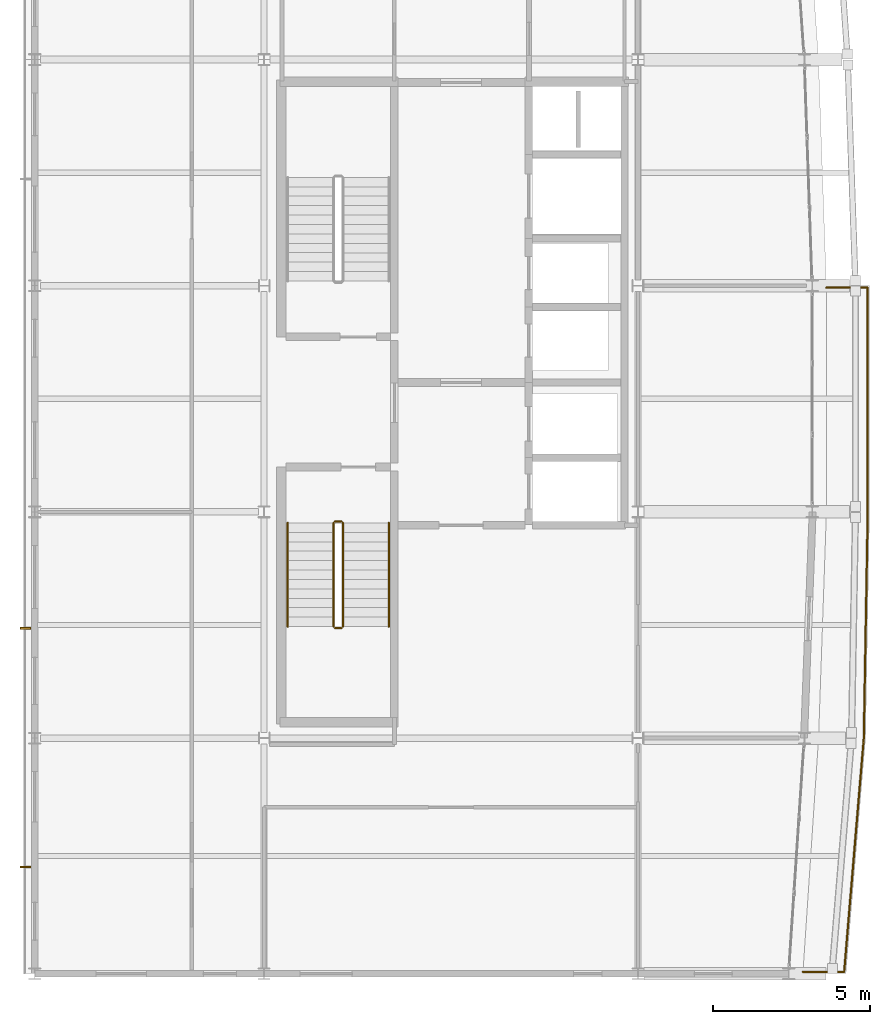
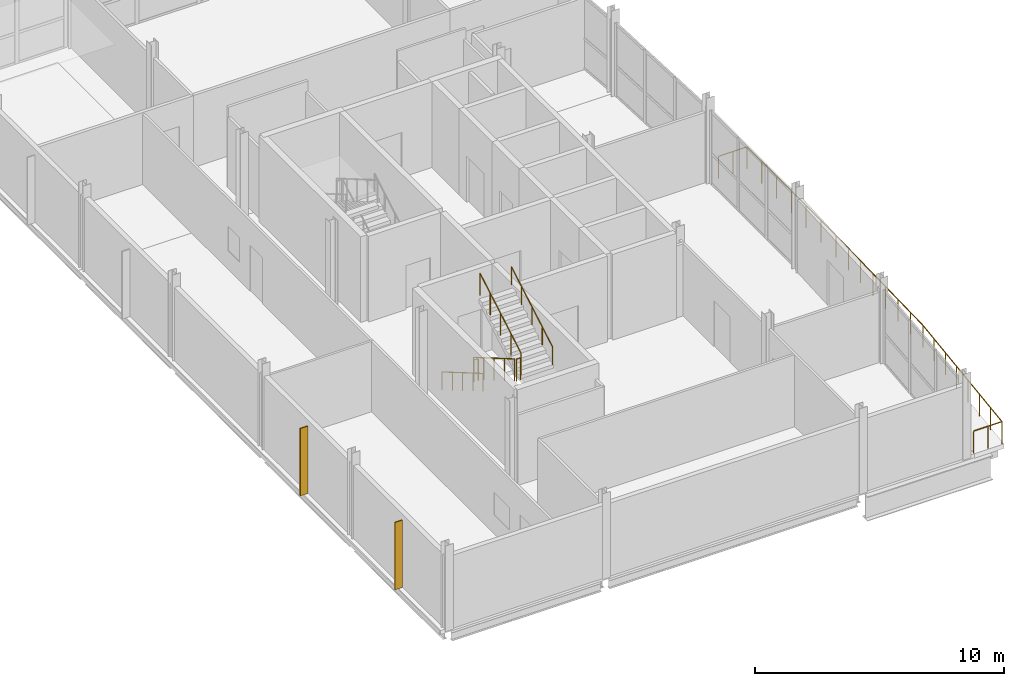
# One storey, part 15 of 17: 7 railings, 2 shading devices.
"""IFC4 building model written with IfcOpenShell, lengths in metres."""

from ifc_helpers import new_model, si_unit, direction, frame, origin, origin_2d, place, context, subcontext, project, spatial, rectangle, circle, extrude, material, type_object, element, save


model = new_model("IFC4")

# Units and contexts
model_context = context("Model", 3, precision=1e-05, world=origin(), true_north=direction((0.0, 1.0)))
body_context = subcontext(model_context, "Body", "Model", "MODEL_VIEW")
ifc_project = project(units=[si_unit("LENGTHUNIT", "METRE"), si_unit("AREAUNIT", "SQUARE_METRE"), si_unit("VOLUMEUNIT", "CUBIC_METRE"), si_unit("PLANEANGLEUNIT", "RADIAN"), si_unit("MASSUNIT", "GRAM", prefix="KILO")], contexts=[model_context])

# Site, building, storey
site_placement = place(None, origin())
site = spatial("IfcSite", under=ifc_project, at=site_placement, CompositionType="ELEMENT")
building_placement = place(site_placement, origin())
building = spatial("IfcBuilding", under=site, at=building_placement, Name="Quillay Park Conservatory", CompositionType="ELEMENT")
storey_placement = place(building_placement, frame((0.0, 0.0, 47.699951171875)))
storey = spatial("IfcBuildingStorey", under=building, at=storey_placement, Name="L11", CompositionType="ELEMENT", Elevation=47.699951171875)

# Railings
ifc_material_1 = material(Name="Steel S355J2H", Category="steel")
railing_type_1 = type_object("IfcRailingType", Name="STAIR WALL HANDRAIL 900", PredefinedType="HANDRAIL", material=ifc_material_1)
railing_1_placement = place(storey_placement, frame((8.60009765625, 84.85009765625, 0.175048828125)))
element("IfcRailing", 1, at=railing_1_placement, inside=storey, type_object=railing_type_1, Name="L11 ST-T2 stair handrail 1", PredefinedType="HANDRAIL", context=body_context, shape_type="SweptSolid", body=[
    extrude(circle(Radius=0.02392578125, at=origin_2d()), frame((0.0, 0.0, 0.8759765625), z_axis=(0.0, -0.863776583165, 0.503874998761), x_axis=(1.0, 0.0, 0.0)), (0.0, 0.0, 1.0), 3.820556640625),
    extrude(circle(Radius=0.02099609375, at=origin_2d()), origin(), (0.0, 0.0, 1.0), 0.851806640625),
    extrude(circle(Radius=0.02099609375, at=origin_2d()), frame((0.0, -0.824951171875, 0.481201171875)), (0.0, 0.0, 1.0), 0.851806640625),
    extrude(circle(Radius=0.02099609375, at=origin_2d()), frame((0.0, -1.64990234375, 0.96240234375)), (0.0, 0.0, 1.0), 0.851806640625),
    extrude(circle(Radius=0.02099609375, at=origin_2d()), frame((0.0, -2.47509765625, 1.44384765625)), (0.0, 0.0, 1.0), 0.851806640625),
    extrude(circle(Radius=0.02099609375, at=origin_2d()), frame((0.0, -3.300048828125, 1.925048828125)), (0.0, 0.0, 1.0), 0.851806640625),
])
railing_2_placement = place(storey_placement, frame((11.820068359375, 81.550048828125, 2.275146484375)))
element("IfcRailing", 2, at=railing_2_placement, inside=storey, type_object=railing_type_1, Name="L11 ST-T2 stair handrail 2", PredefinedType="HANDRAIL", context=body_context, shape_type="SweptSolid", body=[
    extrude(circle(Radius=0.02392578125, at=origin_2d()), frame((0.0, 0.0, 0.8759765625), z_axis=(0.0, 0.863804395585, 0.503827317807), x_axis=(-1.0, 0.0, 0.0)), (0.0, 0.0, 1.0), 3.8203125),
    extrude(circle(Radius=0.02099609375, at=origin_2d()), origin(), (0.0, 0.0, 1.0), 0.851806640625),
    extrude(circle(Radius=0.02099609375, at=origin_2d()), frame((0.0, 0.824951171875, 0.481201171875)), (0.0, 0.0, 1.0), 0.851806640625),
    extrude(circle(Radius=0.02099609375, at=origin_2d()), frame((0.0, 1.64990234375, 0.96240234375)), (0.0, 0.0, 1.0), 0.851806640625),
    extrude(circle(Radius=0.02099609375, at=origin_2d()), frame((0.0, 2.47509765625, 1.443603515625)), (0.0, 0.0, 1.0), 0.851806640625),
    extrude(circle(Radius=0.02099609375, at=origin_2d()), frame((0.0, 3.300048828125, 1.9248046875)), (0.0, 0.0, 1.0), 0.851806640625),
])
ifc_material_2 = material(Name="Steel S355J2H", Category="steel")
railing_type_2 = type_object("IfcRailingType", Name="STAIR WELL GUARDRAIL 1100", PredefinedType="GUARDRAIL", material=ifc_material_2)
railing_3_placement = place(storey_placement, frame((10.06005859375, 84.85009765625, 0.175048828125)))
element("IfcRailing", 3, at=railing_3_placement, inside=storey, type_object=railing_type_2, Name="L11 ST-T2 stair guard 1", PredefinedType="GUARDRAIL", context=body_context, shape_type="SweptSolid", body=[
    extrude(circle(Radius=0.02392578125, at=origin_2d()), frame((0.0, 0.0, 1.076171875), z_axis=(0.0, -0.863776583165, 0.503874998761), x_axis=(1.0, 0.0, 0.0)), (0.0, 0.0, 1.0), 3.820556640625),
    extrude(circle(Radius=0.02099609375, at=origin_2d()), origin(), (0.0, 0.0, 1.0), 1.052001953125),
    extrude(circle(Radius=0.02099609375, at=origin_2d()), frame((0.0, -0.824951171875, 0.481201171875)), (0.0, 0.0, 1.0), 1.052001953125),
    extrude(circle(Radius=0.02099609375, at=origin_2d()), frame((0.0, -1.64990234375, 0.96240234375)), (0.0, 0.0, 1.0), 1.052001953125),
    extrude(circle(Radius=0.02099609375, at=origin_2d()), frame((0.0, -2.47509765625, 1.44384765625)), (0.0, 0.0, 1.0), 1.052001953125),
    extrude(circle(Radius=0.02099609375, at=origin_2d()), frame((0.0, -3.300048828125, 1.925048828125)), (0.0, 0.0, 1.0), 1.052001953125),
])
railing_4_placement = place(storey_placement, frame((10.110107421875, 81.5, 2.10009765625)))
element("IfcRailing", 4, at=railing_4_placement, inside=storey, type_object=railing_type_2, Name="L11 ST-T2 stair guard 2", PredefinedType="GUARDRAIL", context=body_context, shape_type="SweptSolid", body=[
    extrude(circle(Radius=0.02392578125, at=origin_2d()), frame((0.0, 0.0, 1.076171875), z_axis=(1.0, 0.0, 0.0), x_axis=(0.0, 1.0, 0.0)), (0.0, 0.0, 1.0), 0.199951171875),
    extrude(circle(Radius=0.02099609375, at=origin_2d()), origin(), (0.0, 0.0, 1.0), 1.052001953125),
    extrude(circle(Radius=0.02099609375, at=origin_2d()), frame((0.199951171875, 0.0, 0.0)), (0.0, 0.0, 1.0), 1.052001953125),
])
railing_5_placement = place(storey_placement, frame((10.360107421875, 81.550048828125, 2.275146484375)))
element("IfcRailing", 5, at=railing_5_placement, inside=storey, type_object=railing_type_2, Name="L11 ST-T2 stair guard 3", PredefinedType="GUARDRAIL", context=body_context, shape_type="SweptSolid", body=[
    extrude(circle(Radius=0.02392578125, at=origin_2d()), frame((0.0, 0.0, 1.076171875), z_axis=(0.0, 0.863804395585, 0.503827317807), x_axis=(-1.0, 0.0, 0.0)), (0.0, 0.0, 1.0), 3.8203125),
    extrude(circle(Radius=0.02099609375, at=origin_2d()), origin(), (0.0, 0.0, 1.0), 1.052001953125),
    extrude(circle(Radius=0.02099609375, at=origin_2d()), frame((0.0, 0.824951171875, 0.481201171875)), (0.0, 0.0, 1.0), 1.052001953125),
    extrude(circle(Radius=0.02099609375, at=origin_2d()), frame((0.0, 1.64990234375, 0.96240234375)), (0.0, 0.0, 1.0), 1.052001953125),
    extrude(circle(Radius=0.02099609375, at=origin_2d()), frame((0.0, 2.47509765625, 1.443603515625)), (0.0, 0.0, 1.0), 1.052001953125),
    extrude(circle(Radius=0.02099609375, at=origin_2d()), frame((0.0, 3.300048828125, 1.9248046875)), (0.0, 0.0, 1.0), 1.052001953125),
])
railing_6_placement = place(storey_placement, frame((10.110107421875, 84.89990234375, 0.0)))
element("IfcRailing", 6, at=railing_6_placement, inside=storey, type_object=railing_type_2, Name="L11 ST-T2 stair guard 4", PredefinedType="GUARDRAIL", context=body_context, shape_type="SweptSolid", body=[
    extrude(circle(Radius=0.02392578125, at=origin_2d()), frame((0.0, 0.0, 1.076171875), z_axis=(1.0, 0.0, 0.0), x_axis=(0.0, 1.0, 0.0)), (0.0, 0.0, 1.0), 0.199951171875),
    extrude(circle(Radius=0.02099609375, at=origin_2d()), origin(), (0.0, 0.0, 1.0), 1.052001953125),
    extrude(circle(Radius=0.02099609375, at=origin_2d()), frame((0.199951171875, 0.0, 0.0)), (0.0, 0.0, 1.0), 1.052001953125),
])
ifc_material_3 = material(Name="Steel S355J2H", Category="steel")
railing_type_3 = type_object("IfcRailingType", Name="TERRACE PERIMETER GUARDRAIL 1100", PredefinedType="GUARDRAIL", material=ifc_material_3)
railing_7_placement = place(storey_placement, frame((25.0, 70.56005859375, 0.0)))
element("IfcRailing", 7, at=railing_7_placement, inside=storey, type_object=railing_type_3, Name="L11 Perimeter Safety Guardrail 004", PredefinedType="GUARDRAIL", context=body_context, shape_type="SweptSolid", body=[
    extrude(circle(Radius=0.02392578125, at=origin_2d()), frame((0.0, 0.0, 1.076171875), z_axis=(1.0, 0.0, 0.0), x_axis=(0.0, 1.0, 0.0)), (0.0, 0.0, 1.0), 1.31494140625),
    extrude(circle(Radius=0.02392578125, at=origin_2d()), frame((1.31494140625, 0.0, 1.076171875), z_axis=(0.083711181713, 0.996490059186, 0.0), x_axis=(-0.996490059186, 0.083711181713, 0.0)), (0.0, 0.0, 1.0), 7.466064453125),
    extrude(circle(Radius=0.02392578125, at=origin_2d()), frame((1.93994140625, 7.43994140625, 1.076171875), z_axis=(0.017358612997, 0.999849327926, 0.0), x_axis=(-0.999849327926, 0.017358612997, 0.0)), (0.0, 0.0, 1.0), 7.200927734375),
    extrude(circle(Radius=0.02392578125, at=origin_2d()), frame((2.06494140625, 14.639892578125, 1.076171875), z_axis=(0.0, 1.0, 0.0), x_axis=(-1.0, 0.0, 0.0)), (0.0, 0.0, 1.0), 7.14013671875),
    extrude(circle(Radius=0.02392578125, at=origin_2d()), frame((2.06494140625, 21.780029296875, 1.076171875), z_axis=(-1.0, 0.0, 0.0), x_axis=(0.0, -1.0, 0.0)), (0.0, 0.0, 1.0), 1.31494140625),
    extrude(circle(Radius=0.02099609375, at=origin_2d()), origin(), (0.0, 0.0, 1.0), 1.052001953125),
    extrude(circle(Radius=0.02099609375, at=origin_2d()), frame((0.657470703125, 0.0, 0.0)), (0.0, 0.0, 1.0), 1.052001953125),
    extrude(circle(Radius=0.02099609375, at=origin_2d()), frame((1.31494140625, 0.0, 0.0)), (0.0, 0.0, 1.0), 1.052001953125),
    extrude(circle(Radius=0.02099609375, at=origin_2d()), frame((1.404296875, 1.062744140625, 0.0)), (0.0, 0.0, 1.0), 1.052001953125),
    extrude(circle(Radius=0.02099609375, at=origin_2d()), frame((1.493408203125, 2.125732421875, 0.0)), (0.0, 0.0, 1.0), 1.052001953125),
    extrude(circle(Radius=0.02099609375, at=origin_2d()), frame((1.582763671875, 3.1884765625, 0.0)), (0.0, 0.0, 1.0), 1.052001953125),
    extrude(circle(Radius=0.02099609375, at=origin_2d()), frame((1.672119140625, 4.25146484375, 0.0)), (0.0, 0.0, 1.0), 1.052001953125),
    extrude(circle(Radius=0.02099609375, at=origin_2d()), frame((1.761474609375, 5.314208984375, 0.0)), (0.0, 0.0, 1.0), 1.052001953125),
    extrude(circle(Radius=0.02099609375, at=origin_2d()), frame((1.8505859375, 6.377197265625, 0.0)), (0.0, 0.0, 1.0), 1.052001953125),
    extrude(circle(Radius=0.02099609375, at=origin_2d()), frame((1.93994140625, 7.43994140625, 0.0)), (0.0, 0.0, 1.0), 1.052001953125),
    extrude(circle(Radius=0.02099609375, at=origin_2d()), frame((1.957763671875, 8.468505859375, 0.0)), (0.0, 0.0, 1.0), 1.052001953125),
    extrude(circle(Radius=0.02099609375, at=origin_2d()), frame((1.9755859375, 9.4970703125, 0.0)), (0.0, 0.0, 1.0), 1.052001953125),
    extrude(circle(Radius=0.02099609375, at=origin_2d()), frame((1.993408203125, 10.525634765625, 0.0)), (0.0, 0.0, 1.0), 1.052001953125),
    extrude(circle(Radius=0.02099609375, at=origin_2d()), frame((2.011474609375, 11.55419921875, 0.0)), (0.0, 0.0, 1.0), 1.052001953125),
    extrude(circle(Radius=0.02099609375, at=origin_2d()), frame((2.029296875, 12.582763671875, 0.0)), (0.0, 0.0, 1.0), 1.052001953125),
    extrude(circle(Radius=0.02099609375, at=origin_2d()), frame((2.047119140625, 13.611328125, 0.0)), (0.0, 0.0, 1.0), 1.052001953125),
    extrude(circle(Radius=0.02099609375, at=origin_2d()), frame((2.06494140625, 14.639892578125, 0.0)), (0.0, 0.0, 1.0), 1.052001953125),
    extrude(circle(Radius=0.02099609375, at=origin_2d()), frame((2.06494140625, 15.829833984375, 0.0)), (0.0, 0.0, 1.0), 1.052001953125),
    extrude(circle(Radius=0.02099609375, at=origin_2d()), frame((2.06494140625, 17.02001953125, 0.0)), (0.0, 0.0, 1.0), 1.052001953125),
    extrude(circle(Radius=0.02099609375, at=origin_2d()), frame((2.06494140625, 18.2099609375, 0.0)), (0.0, 0.0, 1.0), 1.052001953125),
    extrude(circle(Radius=0.02099609375, at=origin_2d()), frame((2.06494140625, 19.39990234375, 0.0)), (0.0, 0.0, 1.0), 1.052001953125),
    extrude(circle(Radius=0.02099609375, at=origin_2d()), frame((2.06494140625, 20.590087890625, 0.0)), (0.0, 0.0, 1.0), 1.052001953125),
    extrude(circle(Radius=0.02099609375, at=origin_2d()), frame((2.06494140625, 21.780029296875, 0.0)), (0.0, 0.0, 1.0), 1.052001953125),
    extrude(circle(Radius=0.02099609375, at=origin_2d()), frame((1.407470703125, 21.780029296875, 0.0)), (0.0, 0.0, 1.0), 1.052001953125),
    extrude(circle(Radius=0.02099609375, at=origin_2d()), frame((0.75, 21.780029296875, 0.0)), (0.0, 0.0, 1.0), 1.052001953125),
])

# Shading devices
ifc_material_4 = material(Name="Perforated Copper-Bronze Anodised Aluminium", Category="aluminium")
shading_device_type = type_object("IfcShadingDeviceType", Name="COPPER BRONZE SOLAR FIN", PredefinedType="USERDEFINED", material=ifc_material_4)
for number, where, z_axis, x_axis, name in (
    (8, (0.2548828125, 73.89990234375, 0.0), (0.0, 0.0, 1.0), (1.0, 0.0, 0.0), "L11 Perforated Copper-Bronze Solar Fin 036"),
    (9, (0.2548828125, 81.5, 0.0), (0.0, 0.0, 1.0), (1.0, 0.0, 0.0), "L11 Perforated Copper-Bronze Solar Fin 037"),
):
    element("IfcShadingDevice", number, at=place(storey_placement, frame(where, z_axis=z_axis, x_axis=x_axis)), inside=storey, type_object=shading_device_type, Name=name, ObjectType="SOLAR FIN", PredefinedType="USERDEFINED", context=body_context, shape_type="SweptSolid", body=[
        extrude(rectangle(XDim=0.35009765625, YDim=0.054931640625, at=origin_2d()), origin(), (0.0, 0.0, 1.0), 3.300048828125),
    ])

save(model, "model.ifc")
